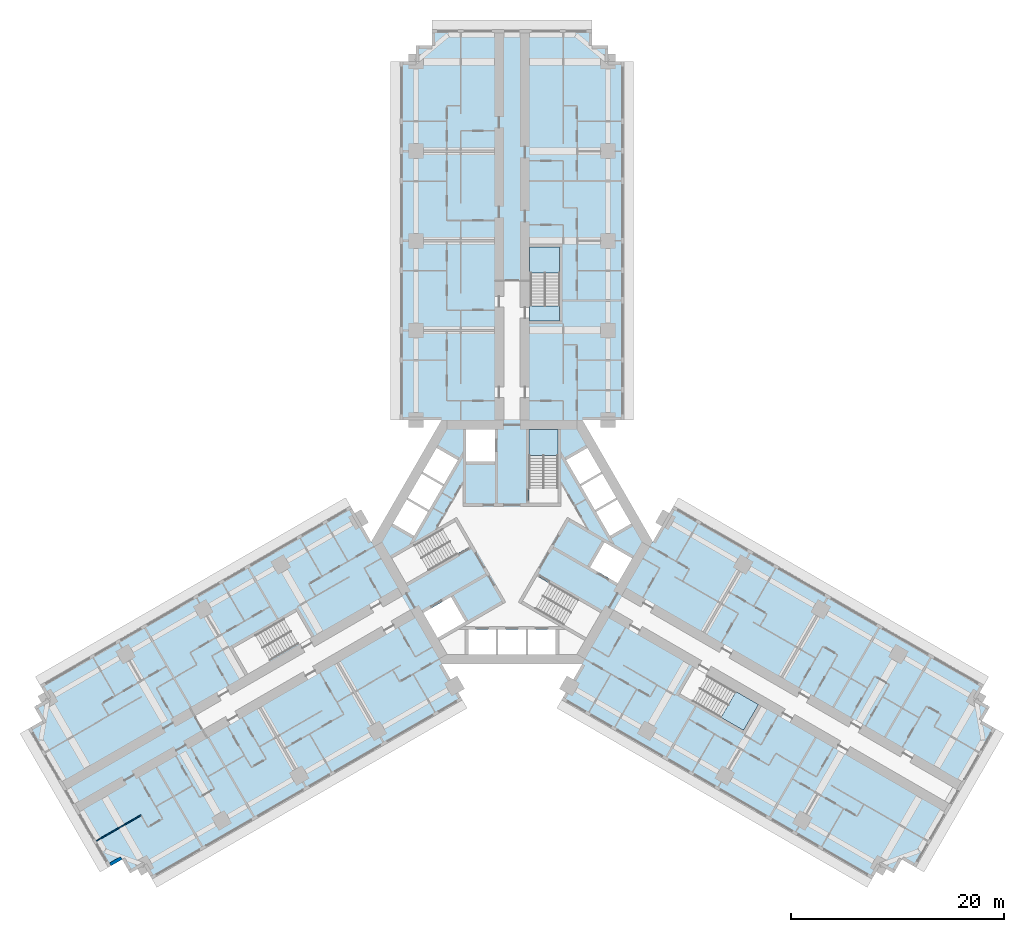
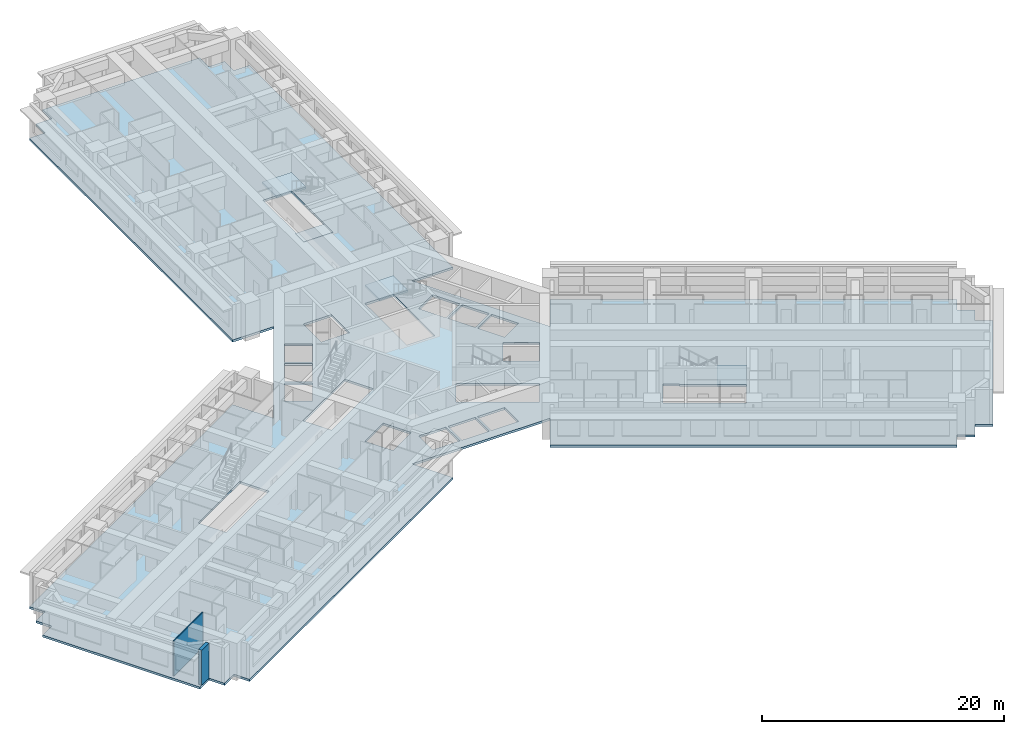
# One storey, part 2 of 16: 5 slabs, 2 walls, 3 elements without a shape of their own.
"""IFC4 building model written with IfcOpenShell, lengths in metres."""

from ifc_helpers import new_model, si_unit, direction, frame, frame_2d, origin, place, context, subcontext, project, spatial, polyline, rectangle, outline, extrude, material, layer, layer_set, type_object, element, aggregate, save


model = new_model("IFC4")

# Units and contexts
model_context = context("Model", 3, precision=1e-05, world=origin(), true_north=direction((0.0, 1.0)))
body_context = subcontext(model_context, "Body", "Model", "MODEL_VIEW")
ifc_project = project(units=[si_unit("LENGTHUNIT", "METRE"), si_unit("AREAUNIT", "SQUARE_METRE"), si_unit("VOLUMEUNIT", "CUBIC_METRE"), si_unit("PLANEANGLEUNIT", "RADIAN"), si_unit("MASSUNIT", "GRAM", prefix="KILO")], contexts=[model_context])

# Site, building, storey
site_placement = place(None, origin())
site = spatial("IfcSite", under=ifc_project, at=site_placement, CompositionType="ELEMENT")
building_placement = place(site_placement, origin())
building = spatial("IfcBuilding", under=site, at=building_placement, Name="Impinga Residences", CompositionType="ELEMENT")
storey_placement = place(building_placement, frame((0.0, 0.0, 74.75)))
storey = spatial("IfcBuildingStorey", under=building, at=storey_placement, Name="L18", CompositionType="ELEMENT", Elevation=74.75)

# Slab
ifc_material_1 = material(Name="Concrete C60/75", Category="concrete")
ifc_layer_1 = layer(ifc_material_1, 0.219970703125)
ifc_layer_set_1 = layer_set([ifc_layer_1], Name="Concrete C60/75")
slab_type_1 = type_object("IfcSlabType", Name="FS1 tower floor slab 220", PredefinedType="FLOOR", material=ifc_layer_set_1)
slab_1_placement = place(storey_placement, frame((0.0, 0.0, -0.219970703125)))
element("IfcSlab", 1, at=slab_1_placement, inside=storey, type_object=slab_type_1, Name="Floor slab FS1 L18", PredefinedType="FLOOR", context=body_context, shape_type="SweptSolid", body=[
    extrude(outline(polyline([(-34.49853515625, -30.31005859375), (-35.797607421875, -31.06005859375), (-36.547607421875, -29.760986328125), (-37.846435546875, -30.510986328125), (-45.346435546875, -17.5205078125), (-44.047607421875, -16.7705078125), (-44.797607421875, -15.471435546875), (-43.49853515625, -14.721435546875), (-44.24853515625, -13.422607421875), (-15.14990234375, 3.37744140625), (-13.199951171875, 0.0), (-6.60009765625, 11.431640625), (-10.5, 11.431640625), (-10.5, 45.031494140625), (-9.0, 45.031494140625), (-9.0, 46.531494140625), (-7.5, 46.531494140625), (-7.5, 48.031494140625), (7.5, 48.031494140625), (7.5, 46.531494140625), (9.0, 46.531494140625), (9.0, 45.031494140625), (10.5, 45.031494140625), (10.5, 11.431640625), (6.60009765625, 11.431640625), (13.199951171875, 0.0), (15.14990234375, 3.37744140625), (44.24853515625, -13.422607421875), (43.49853515625, -14.721435546875), (44.797607421875, -15.471435546875), (44.047607421875, -16.7705078125), (45.346435546875, -17.5205078125), (37.846435546875, -30.510986328125), (36.547607421875, -29.760986328125), (35.797607421875, -31.06005859375), (34.49853515625, -30.31005859375), (33.74853515625, -31.609130859375), (4.64990234375, -14.80908203125), (9.900146484375, -5.7158203125), (6.60009765625, -11.431640625), (-6.60009765625, -11.431640625), (-9.900146484375, -5.7158203125), (-4.64990234375, -14.80908203125), (-33.74853515625, -31.609130859375), (-34.49853515625, -30.31005859375)]), holes=[polyline([(-21.391357421875, -7.2119140625), (-26.154541015625, -9.9619140625), (-24.8046875, -12.30029296875), (-20.04150390625, -9.55029296875), (-19.991455078125, -9.63671875), (-18.779052734375, -8.936767578125), (-18.8291015625, -8.850341796875), (-18.8291015625, -8.850341796875), (-20.178955078125, -6.511962890625), (-21.391357421875, -7.2119140625), (-21.391357421875, -7.2119140625)]), polyline([(-1.5, -8.2314453125), (-4.10009765625, -8.2314453125), (-4.10009765625, -10.531494140625), (-1.5, -10.531494140625), (-1.5, -8.2314453125)]), polyline([(1.300048828125, -8.2314453125), (-1.300048828125, -8.2314453125), (-1.300048828125, -10.531494140625), (1.300048828125, -10.531494140625), (1.300048828125, -8.2314453125)]), polyline([(1.5, -8.2314453125), (1.5, -10.531494140625), (4.10009765625, -10.531494140625), (4.10009765625, -8.2314453125), (1.5, -8.2314453125)]), polyline([(-5.72119140625, -5.150634765625), (-8.320556640625, -6.6513671875), (-6.970458984375, -8.98974609375), (-4.37109375, -7.489013671875), (-5.72119140625, -5.150634765625)]), polyline([(-3.943603515625, -0.429443359375), (-5.293701171875, 1.908935546875), (-11.2705078125, -1.541748046875), (-9.920654296875, -3.880126953125), (-3.943603515625, -0.429443359375)]), polyline([(-9.1787109375, 0.56494140625), (-7.878662109375, 2.816650390625), (-9.87060546875, 3.966796875), (-11.170654296875, 1.715087890625), (-9.1787109375, 0.56494140625)]), polyline([(-6.478759765625, 5.24169921875), (-8.470458984375, 6.3916015625), (-9.7705078125, 4.139892578125), (-7.77880859375, 2.989990234375), (-6.478759765625, 5.24169921875)]), polyline([(-6.378662109375, 5.414794921875), (-5.07861328125, 7.66650390625), (-7.070556640625, 8.81640625), (-8.37060546875, 6.564697265625), (-6.378662109375, 5.414794921875)]), polyline([(-4.300048828125, 7.530029296875), (-1.60009765625, 7.530029296875), (-1.60009765625, 10.531494140625), (-4.300048828125, 10.531494140625), (-4.300048828125, 7.530029296875)]), polyline([(15.72900390625, -14.219482421875), (21.70458984375, -17.669677734375), (23.0546875, -15.331298828125), (18.29150390625, -12.581298828125), (18.341552734375, -12.49462890625), (17.129150390625, -11.794677734375), (15.72900390625, -14.219482421875)]), polyline([(0.99365234375, -5.538818359375), (6.970458984375, -8.98974609375), (8.320556640625, -6.6513671875), (2.34375, -3.20068359375), (0.99365234375, -5.538818359375)]), polyline([(8.671142578125, -0.041015625), (7.3212890625, -2.37939453125), (9.920654296875, -3.880126953125), (11.2705078125, -1.541748046875), (8.671142578125, -0.041015625)]), polyline([(7.878662109375, 2.816650390625), (9.1787109375, 0.56494140625), (11.170654296875, 1.715087890625), (9.87060546875, 3.966796875), (7.878662109375, 2.816650390625)]), polyline([(7.77880859375, 2.989990234375), (9.7705078125, 4.139892578125), (8.470458984375, 6.3916015625), (6.478759765625, 5.24169921875), (7.77880859375, 2.989990234375)]), polyline([(1.60009765625, 3.6298828125), (4.300048828125, 3.6298828125), (4.300048828125, 10.531494140625), (1.60009765625, 10.531494140625), (1.60009765625, 3.6298828125)]), polyline([(5.07861328125, 7.66650390625), (6.378662109375, 5.414794921875), (8.37060546875, 6.564697265625), (7.070556640625, 8.81640625), (5.07861328125, 7.66650390625)]), polyline([(1.75, 22.131591796875), (1.64990234375, 22.131591796875), (1.64990234375, 20.7314453125), (1.75, 20.7314453125), (4.449951171875, 20.7314453125), (4.449951171875, 22.131591796875), (4.449951171875, 27.631591796875), (1.75, 27.631591796875), (1.75, 22.131591796875)])]), origin(), (0.0, 0.0, 1.0), 0.219970703125),
])

# Stair, slab
ifc_material_2 = material(Name="Concrete C40/50", Category="concrete")
stair_type_1 = type_object("IfcStairType", Name="STR core stair 3750 storey, 24 risers", PredefinedType="HALF_TURN_STAIR", material=ifc_material_2)
stair_1_placement = place(storey_placement, origin())
stair_1 = element("IfcStair", 2, at=stair_1_placement, inside=storey, type_object=stair_type_1, Name="Stair ST1 L18", PredefinedType="HALF_TURN_STAIR")
ifc_layer_2 = layer(ifc_material_2, 0.199951171875)
ifc_layer_set_2 = layer_set([ifc_layer_2], Name="Concrete C40/50")
slab_type_2 = type_object("IfcSlabType", Name="LS1 stair landing 200", PredefinedType="LANDING", material=ifc_layer_set_2)
slab_2_placement = place(storey_placement, frame((0.0, 0.0, 1.675048828125)))
slab_2 = element("IfcSlab", 3, at=slab_2_placement, type_object=slab_type_2, Name="ST1 landing 2", PredefinedType="LANDING", context=body_context, shape_type="SweptSolid", body=[
    extrude(outline(polyline([(1.60009765625, 8.10009765625), (4.300048828125, 8.10009765625), (4.300048828125, 10.531494140625), (1.60009765625, 10.531494140625), (1.60009765625, 8.10009765625)])), origin(), (0.0, 0.0, 1.0), 0.199951171875),
])
aggregate(stair_1, [slab_2])

# Stair, slabs
stair_type_2 = type_object("IfcStairType", Name="STR wing stair 3750 storey, 24 risers", PredefinedType="HALF_TURN_STAIR", material=ifc_material_2)
stair_2_placement = place(storey_placement, origin())
stair_2 = element("IfcStair", 4, at=stair_2_placement, inside=storey, type_object=stair_type_2, Name="Stair WS1 L18", PredefinedType="HALF_TURN_STAIR")
slab_3_placement = place(storey_placement, frame((0.0, 0.0, -0.199951171875)))
slab_3 = element("IfcSlab", 5, at=slab_3_placement, type_object=slab_type_2, Name="WS1 landing 1", PredefinedType="LANDING", context=body_context, shape_type="SweptSolid", body=[
    extrude(outline(polyline([(1.64990234375, 20.7314453125), (4.449951171875, 20.7314453125), (4.449951171875, 22.1416015625), (1.64990234375, 22.1416015625), (1.64990234375, 20.7314453125)])), origin(), (0.0, 0.0, 1.0), 0.199951171875),
])
slab_4_placement = place(storey_placement, frame((0.0, 0.0, 1.675048828125)))
slab_4 = element("IfcSlab", 6, at=slab_4_placement, type_object=slab_type_2, Name="WS1 landing 2", PredefinedType="LANDING", context=body_context, shape_type="SweptSolid", body=[
    extrude(outline(polyline([(1.64990234375, 25.201416015625), (4.449951171875, 25.201416015625), (4.449951171875, 27.631591796875), (1.64990234375, 27.631591796875), (1.64990234375, 25.201416015625)])), origin(), (0.0, 0.0, 1.0), 0.199951171875),
])
aggregate(stair_2, [slab_3, slab_4])

# Stair, slab
stair_3_placement = place(storey_placement, origin())
stair_3 = element("IfcStair", 7, at=stair_3_placement, inside=storey, type_object=stair_type_2, Name="Stair WS3 L18", PredefinedType="HALF_TURN_STAIR")
slab_5_placement = place(storey_placement, frame((0.0, 0.0, 1.675048828125)))
slab_5 = element("IfcSlab", 8, at=slab_5_placement, type_object=slab_type_2, Name="WS3 landing 2", PredefinedType="LANDING", context=body_context, shape_type="SweptSolid", body=[
    extrude(outline(polyline([(21.000244140625, -14.02978515625), (19.60009765625, -16.45458984375), (21.70458984375, -17.669677734375), (23.1044921875, -15.24462890625), (21.000244140625, -14.02978515625)])), origin(), (0.0, 0.0, 1.0), 0.199951171875),
])
aggregate(stair_3, [slab_5])

# Walls
ifc_material_3 = material(Name="Terracotta rainscreen on blockwork", Category="masonry")
ifc_layer_3 = layer(ifc_material_3, 0.300048828125)
ifc_layer_set_3 = layer_set([ifc_layer_3], Name="EW1 external wall, terracotta rainscreen on blockwork 300")
wall_type_1 = type_object("IfcWallType", Name="EW1 external wall, terracotta rainscreen on blockwork 300", PredefinedType="SOLIDWALL", material=ifc_layer_set_3)
wall_1_placement = place(storey_placement, frame((-36.626708984375, -29.633544921875, 0.0), z_axis=(0.0, 0.0, 1.0), x_axis=(-0.866059708757, -0.499940577336, 0.0)))
element("IfcWall", 9, at=wall_1_placement, inside=storey, type_object=wall_type_1, Name="External wall EW1 L18", PredefinedType="SOLIDWALL", context=body_context, shape_type="SweptSolid", body=[
    extrude(rectangle(XDim=1.195068359375, YDim=0.300048828125, at=frame_2d((0.59765625, 0.0))), origin(), (0.0, 0.0, 1.0), 3.530029296875),
])
ifc_material_4 = material(Name="Gypsum board on steel studs", Category="steel")
ifc_layer_4 = layer(ifc_material_4, 0.10009765625)
ifc_layer_set_4 = layer_set([ifc_layer_4], Name="Gypsum board on steel studs")
wall_type_2 = type_object("IfcWallType", Name="IP1 partition 100", PredefinedType="PARTITIONING", material=ifc_layer_set_4)
wall_2_placement = place(storey_placement, frame((-34.77978515625, -25.622802734375, 0.0), z_axis=(0.0, 0.0, 1.0), x_axis=(-0.866037363387, -0.499979284789, 0.0)))
element("IfcWall", 10, at=wall_2_placement, inside=storey, type_object=wall_type_2, Name="Partition L18-WA5:DIV1", PredefinedType="PARTITIONING", context=body_context, shape_type="SweptSolid", body=[
    extrude(rectangle(XDim=4.800048828125, YDim=0.10009765625, at=frame_2d((2.39990234375, 0.0))), origin(), (0.0, 0.0, 1.0), 3.530029296875),
])

save(model, "model.ifc")
